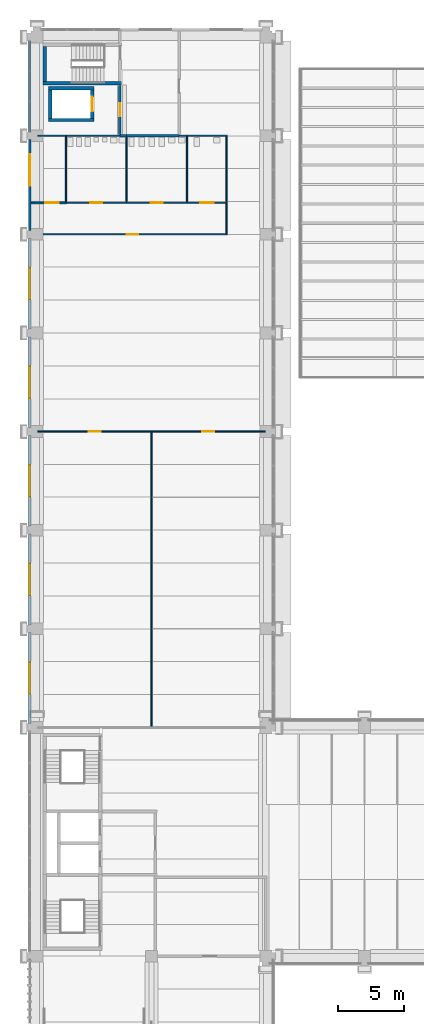
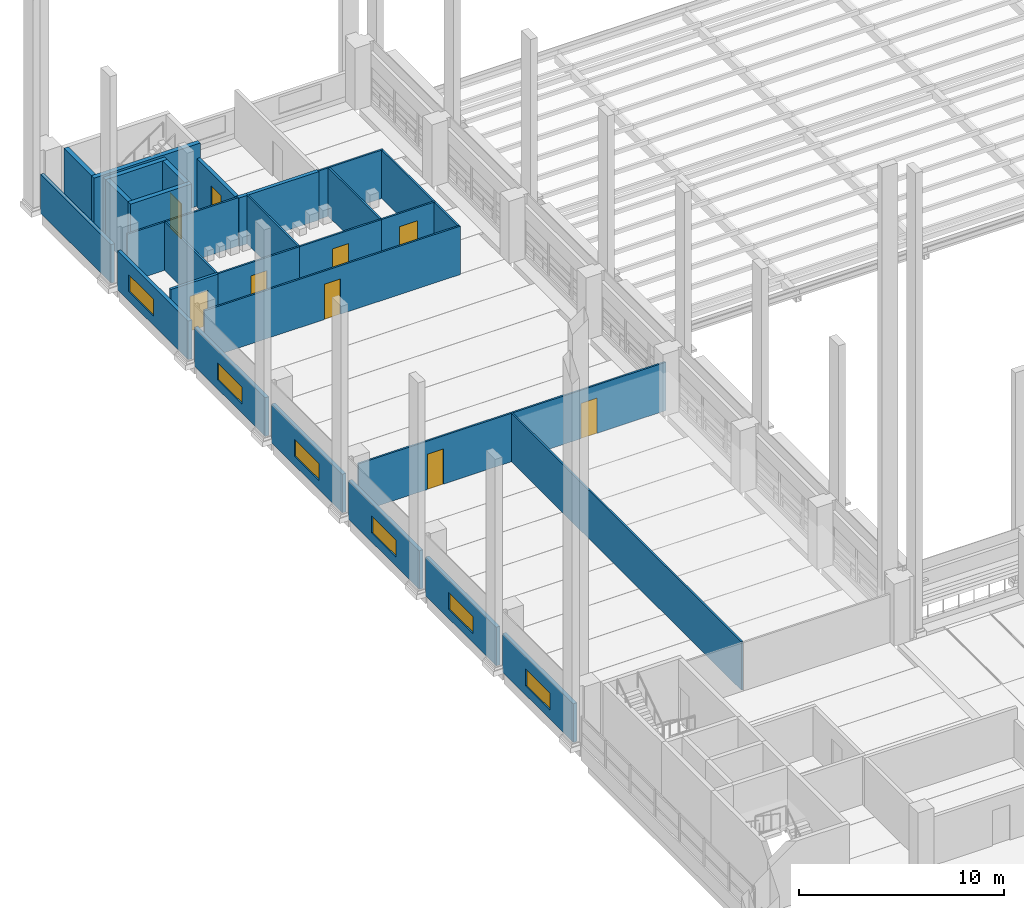
# One storey, part 37 of 67: 33 walls, 9 doors, 6 windows, 15 openings.
"""IFC4 building model written with IfcOpenShell, lengths in metres."""

from ifc_helpers import new_model, si_unit, direction, frame, frame_2d, origin, place, context, subcontext, project, spatial, rectangle, extrude, material, layer, layer_set, type_object, element, fill, save


model = new_model("IFC4")

# Units and contexts
model_context = context("Model", 3, precision=1e-05, world=origin(), true_north=direction((0.0, 1.0)))
body_context = subcontext(model_context, "Body", "Model", "MODEL_VIEW")
ifc_project = project(units=[si_unit("LENGTHUNIT", "METRE"), si_unit("AREAUNIT", "SQUARE_METRE"), si_unit("VOLUMEUNIT", "CUBIC_METRE"), si_unit("PLANEANGLEUNIT", "RADIAN"), si_unit("MASSUNIT", "GRAM", prefix="KILO")], contexts=[model_context])

# Site, building, storey
site_placement = place(None, origin())
site = spatial("IfcSite", under=ifc_project, at=site_placement, CompositionType="ELEMENT")
building_placement = place(site_placement, origin())
building = spatial("IfcBuilding", under=site, at=building_placement, Name="Cour d'Honneur Mobility Palace", CompositionType="ELEMENT")
storey_placement = place(building_placement, frame((0.0, 0.0, 4.5)))
storey = spatial("IfcBuildingStorey", under=building, at=storey_placement, Name="L01", CompositionType="ELEMENT", Elevation=4.5)

# Walls
ifc_material_1 = material(Name="Concrete C50", Category="concrete")
ifc_layer_1 = layer(ifc_material_1, 0.25)
ifc_layer_set_1 = layer_set([ifc_layer_1], Name="Concrete C50")
wall_type_1 = type_object("IfcWallType", Name="Lift shaft wall 250", PredefinedType="SHEAR", material=ifc_layer_set_1)
for number, where, z_axis, x_axis, name in (
    (1, (0.875, 108.60009765625, 0.0), (0.0, 0.0, 1.0), (1.0, 0.0, 0.0), "Lift shaft wall WL-NW1 L01"),
    (2, (0.875, 111.0, 0.0), (0.0, 0.0, 1.0), (1.0, 0.0, 0.0), "Lift shaft wall WL-NW2 L01"),
):
    element("IfcWall", number, at=place(storey_placement, frame(where, z_axis=z_axis, x_axis=x_axis)), inside=storey, type_object=wall_type_1, Name=name, PredefinedType="SHEAR", context=body_context, shape_type="SweptSolid", body=[
        extrude(rectangle(XDim=3.449951171875, YDim=0.25, at=frame_2d((1.72509765625, 0.0))), origin(), (0.0, 0.0, 1.0), 3.699951171875),
    ])
wall_1_placement = place(storey_placement, frame((1.0, 108.72509765625, 0.0), z_axis=(0.0, 0.0, 1.0), x_axis=(0.0, 1.0, 0.0)))
element("IfcWall", 3, at=wall_1_placement, inside=storey, type_object=wall_type_1, Name="Lift shaft wall WL-NW6 L01", PredefinedType="SHEAR", context=body_context, shape_type="SweptSolid", body=[
    extrude(rectangle(XDim=2.14990234375, YDim=0.25, at=frame_2d((1.074951171875, 0.0))), origin(), (0.0, 0.0, 1.0), 3.699951171875),
])

# Wall, opening, door
wall_2_placement = place(storey_placement, frame((4.199951171875, 108.72509765625, 0.0), z_axis=(0.0, 0.0, 1.0), x_axis=(0.0, 1.0, 0.0)))
wall_2 = element("IfcWall", 4, at=wall_2_placement, inside=storey, type_object=wall_type_1, Name="Lift shaft wall WL-NW7 L01", PredefinedType="SHEAR", context=body_context, shape_type="SweptSolid", body=[
    extrude(rectangle(XDim=2.14990234375, YDim=0.25, at=frame_2d((1.074951171875, 0.0))), origin(), (0.0, 0.0, 1.0), 3.699951171875),
])
opening_1_placement = place(wall_2_placement, frame((0.52490234375, 0.0, 0.0)))
opening_1 = element("IfcOpeningElement", 5, at=opening_1_placement, cuts=wall_2, Name="Opening LD54", PredefinedType="OPENING", context=body_context, shape_type="SweptSolid", body=[
    extrude(rectangle(XDim=1.10009765625, YDim=2.10009765625, at=frame_2d((0.550048828125, 1.050048828125))), frame((0.0, 0.135009765625, 0.0), z_axis=(0.0, -1.0, 0.0), x_axis=(1.0, 0.0, 0.0)), (0.0, 0.0, 1.0), 0.27001953125),
])
ifc_material_2 = material(Name="Stainless steel", Category="steel")
door_type_1 = type_object("IfcDoorType", Name="Landing door 1100 x 2100", OperationType="SLIDING_TO_LEFT", PredefinedType="DOOR", material=ifc_material_2)
door_1_placement = place(opening_1_placement, origin())
door_1 = element("IfcDoor", 6, at=door_1_placement, inside=storey, type_object=door_type_1, Name="Landing door LF-NW1 L01", OperationType="SLIDING_TO_LEFT", OverallHeight=2.10009765625, OverallWidth=1.10009765625, PredefinedType="DOOR", context=body_context, shape_type="SweptSolid", body=[
    extrude(rectangle(XDim=1.10009765625, YDim=2.10009765625, at=frame_2d((0.550048828125, 1.050048828125))), frame((0.0, 0.02490234375, 0.0), z_axis=(0.0, -1.0, 0.0), x_axis=(1.0, 0.0, 0.0)), (0.0, 0.0, 1.0), 0.050048828125),
])
fill(opening_1, door_1)

ifc_material_3 = material(Name="Concrete C50", Category="concrete")
ifc_layer_2 = layer(ifc_material_3, 0.199951171875)
ifc_layer_set_2 = layer_set([ifc_layer_2], Name="Concrete C50")
wall_type_2 = type_object("IfcWallType", Name="Load-bearing lobby wall 200 rated EI 120", PredefinedType="PARTITIONING", material=ifc_layer_set_2)
wall_3_placement = place(storey_placement, frame((6.300048828125, 111.22509765625, 0.0), z_axis=(0.0, 0.0, 1.0), x_axis=(0.0, -1.0, 0.0)))
wall_3 = element("IfcWall", 7, at=wall_3_placement, inside=storey, type_object=wall_type_2, Name="Partition 085", PredefinedType="PARTITIONING", context=body_context, shape_type="SweptSolid", body=[
    extrude(rectangle(XDim=3.72509765625, YDim=0.199951171875, at=frame_2d((1.862548828125, 0.0))), origin(), (0.0, 0.0, 1.0), 2.8798828125),
])
opening_2_placement = place(wall_3_placement, frame((1.362548828125, 0.0, 0.0)))
opening_2 = element("IfcOpeningElement", 8, at=opening_2_placement, cuts=wall_3, Name="Opening D0129", PredefinedType="OPENING", context=body_context, shape_type="SweptSolid", body=[
    extrude(rectangle(XDim=1.0, YDim=2.10009765625, at=frame_2d((0.5, 1.050048828125))), frame((0.0, 0.10986328125, 0.0), z_axis=(0.0, -1.0, 0.0), x_axis=(1.0, 0.0, 0.0)), (0.0, 0.0, 1.0), 0.219970703125),
])
ifc_material_4 = material(Name="Galvanised steel", Category="steel")
door_type_2 = type_object("IfcDoorType", Name="Fire door FD120 1000 x 2100", OperationType="SINGLE_SWING_LEFT", PredefinedType="DOOR", material=ifc_material_4)
door_2_placement = place(opening_2_placement, origin())
door_2 = element("IfcDoor", 9, at=door_2_placement, inside=storey, type_object=door_type_2, Name="Door Lift Lobby", OperationType="SINGLE_SWING_RIGHT", OverallHeight=2.10009765625, OverallWidth=1.0, PredefinedType="DOOR", context=body_context, shape_type="SweptSolid", body=[
    extrude(rectangle(XDim=1.0, YDim=2.10009765625, at=frame_2d((0.5, 1.050048828125))), frame((0.0, 0.02490234375, 0.0), z_axis=(0.0, -1.0, 0.0), x_axis=(1.0, 0.0, 0.0)), (0.0, 0.0, 1.0), 0.050048828125),
])
fill(opening_2, door_2)

# Wall
ifc_material_5 = material(Name="Gypsum plasterboard")
ifc_layer_3 = layer(ifc_material_5, 0.10009765625)
ifc_layer_set_3 = layer_set([ifc_layer_3], Name="Gypsum plasterboard")
wall_type_3 = type_object("IfcWallType", Name="Partition 100", PredefinedType="PARTITIONING", material=ifc_layer_set_3)
wall_4_placement = place(storey_placement, frame((8.699951171875, 62.449951171875, 0.0), z_axis=(0.0, 0.0, 1.0), x_axis=(0.0, 1.0, 0.0)))
element("IfcWall", 10, at=wall_4_placement, inside=storey, type_object=wall_type_3, Name="Partition 042", PredefinedType="PARTITIONING", context=body_context, shape_type="SweptSolid", body=[
    extrude(rectangle(XDim=22.400146484375, YDim=0.10009765625, at=frame_2d((11.2001953125, 0.0))), origin(), (0.0, 0.0, 1.0), 2.8798828125),
])

# Wall, opening, door
wall_5_placement = place(storey_placement, frame((8.699951171875, 84.89990234375, 0.0), z_axis=(0.0, 0.0, 1.0), x_axis=(-1.0, 0.0, 0.0)))
wall_5 = element("IfcWall", 11, at=wall_5_placement, inside=storey, type_object=wall_type_3, Name="Partition 046", PredefinedType="PARTITIONING", context=body_context, shape_type="SweptSolid", body=[
    extrude(rectangle(XDim=8.639892578125, YDim=0.10009765625, at=frame_2d((4.31982421875, 0.0))), origin(), (0.0, 0.0, 1.0), 2.8798828125),
])
opening_3_placement = place(wall_5_placement, frame((3.8701171875, 0.0, 0.0)))
opening_3 = element("IfcOpeningElement", 12, at=opening_3_placement, cuts=wall_5, Name="Opening D0113", PredefinedType="OPENING", context=body_context, shape_type="SweptSolid", body=[
    extrude(rectangle(XDim=0.89990234375, YDim=2.10009765625, at=frame_2d((0.449951171875, 1.050048828125))), frame((0.0, 0.06005859375, 0.0), z_axis=(0.0, -1.0, 0.0), x_axis=(1.0, 0.0, 0.0)), (0.0, 0.0, 1.0), 0.1201171875),
])
ifc_material_6 = material(Name="Solid timber", Category="wood")
door_type_3 = type_object("IfcDoorType", Name="Single door 900 x 2100", OperationType="SINGLE_SWING_LEFT", PredefinedType="DOOR", material=ifc_material_6)
door_3_placement = place(opening_3_placement, origin())
door_3 = element("IfcDoor", 13, at=door_3_placement, inside=storey, type_object=door_type_3, Name="Door Locker Room", OperationType="SINGLE_SWING_RIGHT", OverallHeight=2.10009765625, OverallWidth=0.89990234375, PredefinedType="DOOR", context=body_context, shape_type="SweptSolid", body=[
    extrude(rectangle(XDim=0.89990234375, YDim=2.10009765625, at=frame_2d((0.449951171875, 1.050048828125))), frame((0.0, 0.02490234375, 0.0), z_axis=(0.0, -1.0, 0.0), x_axis=(1.0, 0.0, 0.0)), (0.0, 0.0, 1.0), 0.050048828125),
])
fill(opening_3, door_3)

wall_6_placement = place(storey_placement, frame((17.340087890625, 84.89990234375, 0.0), z_axis=(0.0, 0.0, 1.0), x_axis=(-1.0, 0.0, 0.0)))
wall_6 = element("IfcWall", 14, at=wall_6_placement, inside=storey, type_object=wall_type_3, Name="Partition 047", PredefinedType="PARTITIONING", context=body_context, shape_type="SweptSolid", body=[
    extrude(rectangle(XDim=8.64013671875, YDim=0.10009765625, at=frame_2d((4.320068359375, 0.0))), origin(), (0.0, 0.0, 1.0), 2.8798828125),
])
opening_4_placement = place(wall_6_placement, frame((3.8701171875, 0.0, 0.0)))
opening_4 = element("IfcOpeningElement", 15, at=opening_4_placement, cuts=wall_6, Name="Opening D0114", PredefinedType="OPENING", context=body_context, shape_type="SweptSolid", body=[
    extrude(rectangle(XDim=0.89990234375, YDim=2.10009765625, at=frame_2d((0.449951171875, 1.050048828125))), frame((0.0, 0.06005859375, 0.0), z_axis=(0.0, -1.0, 0.0), x_axis=(1.0, 0.0, 0.0)), (0.0, 0.0, 1.0), 0.1201171875),
])
door_4_placement = place(opening_4_placement, origin())
door_4 = element("IfcDoor", 16, at=door_4_placement, inside=storey, type_object=door_type_3, Name="Door Community Room", OperationType="SINGLE_SWING_LEFT", OverallHeight=2.10009765625, OverallWidth=0.89990234375, PredefinedType="DOOR", context=body_context, shape_type="SweptSolid", body=[
    extrude(rectangle(XDim=0.89990234375, YDim=2.10009765625, at=frame_2d((0.449951171875, 1.050048828125))), frame((0.0, 0.02490234375, 0.0), z_axis=(0.0, -1.0, 0.0), x_axis=(1.0, 0.0, 0.0)), (0.0, 0.0, 1.0), 0.050048828125),
])
fill(opening_4, door_4)

wall_7_placement = place(storey_placement, frame((0.06005859375, 99.89990234375, 0.0), z_axis=(0.0, 0.0, 1.0), x_axis=(1.0, 0.0, 0.0)))
wall_7 = element("IfcWall", 17, at=wall_7_placement, inside=storey, type_object=wall_type_3, Name="Partition 050", PredefinedType="PARTITIONING", context=body_context, shape_type="SweptSolid", body=[
    extrude(rectangle(XDim=14.389892578125, YDim=0.10009765625, at=frame_2d((7.19482421875, 0.0))), origin(), (0.0, 0.0, 1.0), 2.8798828125),
])
opening_5_placement = place(wall_7_placement, frame((6.7451171875, 0.0, 0.0)))
opening_5 = element("IfcOpeningElement", 18, at=opening_5_placement, cuts=wall_7, Name="Opening D0115", PredefinedType="OPENING", context=body_context, shape_type="SweptSolid", body=[
    extrude(rectangle(XDim=0.89990234375, YDim=2.10009765625, at=frame_2d((0.449951171875, 1.050048828125))), frame((0.0, 0.06005859375, 0.0), z_axis=(0.0, -1.0, 0.0), x_axis=(1.0, 0.0, 0.0)), (0.0, 0.0, 1.0), 0.1201171875),
])
door_5_placement = place(opening_5_placement, origin())
door_5 = element("IfcDoor", 19, at=door_5_placement, inside=storey, type_object=door_type_3, Name="Door WC Corridor West", OperationType="SINGLE_SWING_RIGHT", OverallHeight=2.10009765625, OverallWidth=0.89990234375, PredefinedType="DOOR", context=body_context, shape_type="SweptSolid", body=[
    extrude(rectangle(XDim=0.89990234375, YDim=2.10009765625, at=frame_2d((0.449951171875, 1.050048828125))), frame((0.0, 0.02490234375, 0.0), z_axis=(0.0, -1.0, 0.0), x_axis=(1.0, 0.0, 0.0)), (0.0, 0.0, 1.0), 0.050048828125),
])
fill(opening_5, door_5)

# Walls
wall_8_placement = place(storey_placement, frame((14.39990234375, 99.949951171875, 0.0), z_axis=(0.0, 0.0, 1.0), x_axis=(0.0, 1.0, 0.0)))
element("IfcWall", 20, at=wall_8_placement, inside=storey, type_object=wall_type_3, Name="Partition 051", PredefinedType="PARTITIONING", context=body_context, shape_type="SweptSolid", body=[
    extrude(rectangle(XDim=2.300048828125, YDim=0.10009765625, at=frame_2d((1.14990234375, 0.0))), origin(), (0.0, 0.0, 1.0), 2.8798828125),
])
wall_9_placement = place(storey_placement, frame((2.199951171875, 102.375, 0.0), z_axis=(0.0, 0.0, 1.0), x_axis=(0.0, 1.0, 0.0)))
element("IfcWall", 21, at=wall_9_placement, inside=storey, type_object=wall_type_3, Name="Partition 055", PredefinedType="PARTITIONING", context=body_context, shape_type="SweptSolid", body=[
    extrude(rectangle(XDim=4.97509765625, YDim=0.10009765625, at=frame_2d((2.487548828125, 0.0))), origin(), (0.0, 0.0, 1.0), 2.8798828125),
])

# Wall, opening, door
wall_10_placement = place(storey_placement, frame((6.800048828125, 102.300048828125, 0.0), z_axis=(0.0, 0.0, 1.0), x_axis=(-1.0, 0.0, 0.0)))
wall_10 = element("IfcWall", 22, at=wall_10_placement, inside=storey, type_object=wall_type_3, Name="Partition 056", PredefinedType="PARTITIONING", context=body_context, shape_type="SweptSolid", body=[
    extrude(rectangle(XDim=4.60009765625, YDim=0.10009765625, at=frame_2d((2.300048828125, 0.0))), origin(), (0.0, 0.0, 1.0), 2.8798828125),
])
opening_6_placement = place(wall_10_placement, frame((1.85009765625, 0.0, 0.0)))
opening_6 = element("IfcOpeningElement", 23, at=opening_6_placement, cuts=wall_10, Name="Opening D0117", PredefinedType="OPENING", context=body_context, shape_type="SweptSolid", body=[
    extrude(rectangle(XDim=0.89990234375, YDim=2.10009765625, at=frame_2d((0.449951171875, 1.050048828125))), frame((0.0, 0.06005859375, 0.0), z_axis=(0.0, -1.0, 0.0), x_axis=(1.0, 0.0, 0.0)), (0.0, 0.0, 1.0), 0.1201171875),
])
door_6_placement = place(opening_6_placement, origin())
door_6 = element("IfcDoor", 24, at=door_6_placement, inside=storey, type_object=door_type_3, Name="Door WC Men West", OperationType="SINGLE_SWING_LEFT", OverallHeight=2.10009765625, OverallWidth=0.89990234375, PredefinedType="DOOR", context=body_context, shape_type="SweptSolid", body=[
    extrude(rectangle(XDim=0.89990234375, YDim=2.10009765625, at=frame_2d((0.449951171875, 1.050048828125))), frame((0.0, 0.02490234375, 0.0), z_axis=(0.0, -1.0, 0.0), x_axis=(1.0, 0.0, 0.0)), (0.0, 0.0, 1.0), 0.050048828125),
])
fill(opening_6, door_6)

# Wall
wall_11_placement = place(storey_placement, frame((6.800048828125, 102.35009765625, 0.0), z_axis=(0.0, 0.0, 1.0), x_axis=(0.0, 1.0, 0.0)))
element("IfcWall", 25, at=wall_11_placement, inside=storey, type_object=wall_type_3, Name="Partition 057", PredefinedType="PARTITIONING", context=body_context, shape_type="SweptSolid", body=[
    extrude(rectangle(XDim=4.949951171875, YDim=0.10009765625, at=frame_2d((2.47509765625, 0.0))), origin(), (0.0, 0.0, 1.0), 2.8798828125),
])

# Wall, opening, door
wall_12_placement = place(storey_placement, frame((11.39990234375, 102.300048828125, 0.0), z_axis=(0.0, 0.0, 1.0), x_axis=(-1.0, 0.0, 0.0)))
wall_12 = element("IfcWall", 26, at=wall_12_placement, inside=storey, type_object=wall_type_3, Name="Partition 058", PredefinedType="PARTITIONING", context=body_context, shape_type="SweptSolid", body=[
    extrude(rectangle(XDim=4.599853515625, YDim=0.10009765625, at=frame_2d((2.2998046875, 0.0))), origin(), (0.0, 0.0, 1.0), 2.8798828125),
])
opening_7_placement = place(wall_12_placement, frame((1.85009765625, 0.0, 0.0)))
opening_7 = element("IfcOpeningElement", 27, at=opening_7_placement, cuts=wall_12, Name="Opening D0118", PredefinedType="OPENING", context=body_context, shape_type="SweptSolid", body=[
    extrude(rectangle(XDim=0.89990234375, YDim=2.10009765625, at=frame_2d((0.449951171875, 1.050048828125))), frame((0.0, 0.06005859375, 0.0), z_axis=(0.0, -1.0, 0.0), x_axis=(1.0, 0.0, 0.0)), (0.0, 0.0, 1.0), 0.1201171875),
])
door_7_placement = place(opening_7_placement, origin())
door_7 = element("IfcDoor", 28, at=door_7_placement, inside=storey, type_object=door_type_3, Name="Door WC Women West", OperationType="SINGLE_SWING_LEFT", OverallHeight=2.10009765625, OverallWidth=0.89990234375, PredefinedType="DOOR", context=body_context, shape_type="SweptSolid", body=[
    extrude(rectangle(XDim=0.89990234375, YDim=2.10009765625, at=frame_2d((0.449951171875, 1.050048828125))), frame((0.0, 0.02490234375, 0.0), z_axis=(0.0, -1.0, 0.0), x_axis=(1.0, 0.0, 0.0)), (0.0, 0.0, 1.0), 0.050048828125),
])
fill(opening_7, door_7)

# Wall
wall_13_placement = place(storey_placement, frame((11.39990234375, 102.35009765625, 0.0), z_axis=(0.0, 0.0, 1.0), x_axis=(0.0, 1.0, 0.0)))
element("IfcWall", 29, at=wall_13_placement, inside=storey, type_object=wall_type_3, Name="Partition 059", PredefinedType="PARTITIONING", context=body_context, shape_type="SweptSolid", body=[
    extrude(rectangle(XDim=5.0, YDim=0.10009765625, at=frame_2d((2.5, 0.0))), origin(), (0.0, 0.0, 1.0), 2.8798828125),
])

# Wall, opening, door
wall_14_placement = place(storey_placement, frame((14.449951171875, 102.300048828125, 0.0), z_axis=(0.0, 0.0, 1.0), x_axis=(-1.0, 0.0, 0.0)))
wall_14 = element("IfcWall", 30, at=wall_14_placement, inside=storey, type_object=wall_type_3, Name="Partition 060", PredefinedType="PARTITIONING", context=body_context, shape_type="SweptSolid", body=[
    extrude(rectangle(XDim=3.050048828125, YDim=0.10009765625, at=frame_2d((1.52490234375, 0.0))), origin(), (0.0, 0.0, 1.0), 2.8798828125),
])
opening_8_placement = place(wall_14_placement, frame((1.02490234375, 0.0, 0.0)))
opening_8 = element("IfcOpeningElement", 31, at=opening_8_placement, cuts=wall_14, Name="Opening D0119", PredefinedType="OPENING", context=body_context, shape_type="SweptSolid", body=[
    extrude(rectangle(XDim=1.0, YDim=2.10009765625, at=frame_2d((0.5, 1.050048828125))), frame((0.0, 0.06005859375, 0.0), z_axis=(0.0, -1.0, 0.0), x_axis=(1.0, 0.0, 0.0)), (0.0, 0.0, 1.0), 0.1201171875),
])
ifc_material_7 = material(Name="Solid timber", Category="wood")
door_type_4 = type_object("IfcDoorType", Name="Accessible door 1000 x 2100", OperationType="SINGLE_SWING_LEFT", PredefinedType="DOOR", material=ifc_material_7)
door_8_placement = place(opening_8_placement, origin())
door_8 = element("IfcDoor", 32, at=door_8_placement, inside=storey, type_object=door_type_4, Name="Door Accessible WC West", OperationType="SINGLE_SWING_LEFT", OverallHeight=2.10009765625, OverallWidth=1.0, PredefinedType="DOOR", context=body_context, shape_type="SweptSolid", body=[
    extrude(rectangle(XDim=1.0, YDim=2.10009765625, at=frame_2d((0.5, 1.050048828125))), frame((0.0, 0.02490234375, 0.0), z_axis=(0.0, -1.0, 0.0), x_axis=(1.0, 0.0, 0.0)), (0.0, 0.0, 1.0), 0.050048828125),
])
fill(opening_8, door_8)

# Walls
wall_15_placement = place(storey_placement, frame((14.39990234375, 102.35009765625, 0.0), z_axis=(0.0, 0.0, 1.0), x_axis=(0.0, 1.0, 0.0)))
element("IfcWall", 33, at=wall_15_placement, inside=storey, type_object=wall_type_3, Name="Partition 061", PredefinedType="PARTITIONING", context=body_context, shape_type="SweptSolid", body=[
    extrude(rectangle(XDim=5.0, YDim=0.10009765625, at=frame_2d((2.5, 0.0))), origin(), (0.0, 0.0, 1.0), 2.8798828125),
])
wall_16_placement = place(storey_placement, frame((2.199951171875, 107.39990234375, 0.0), z_axis=(0.0, 0.0, 1.0), x_axis=(-1.0, 0.0, 0.0)))
element("IfcWall", 34, at=wall_16_placement, inside=storey, type_object=wall_type_3, Name="Partition 067", PredefinedType="PARTITIONING", context=body_context, shape_type="SweptSolid", body=[
    extrude(rectangle(XDim=2.139892578125, YDim=0.10009765625, at=frame_2d((1.06982421875, 0.0))), origin(), (0.0, 0.0, 1.0), 2.8798828125),
])
wall_17_placement = place(storey_placement, frame((6.300048828125, 107.39990234375, 0.0), z_axis=(0.0, 0.0, 1.0), x_axis=(-1.0, 0.0, 0.0)))
element("IfcWall", 35, at=wall_17_placement, inside=storey, type_object=wall_type_3, Name="Partition 068", PredefinedType="PARTITIONING", context=body_context, shape_type="SweptSolid", body=[
    extrude(rectangle(XDim=4.10009765625, YDim=0.10009765625, at=frame_2d((2.050048828125, 0.0))), origin(), (0.0, 0.0, 1.0), 2.8798828125),
])
wall_18_placement = place(storey_placement, frame((11.39990234375, 107.39990234375, 0.0), z_axis=(0.0, 0.0, 1.0), x_axis=(-1.0, 0.0, 0.0)))
element("IfcWall", 36, at=wall_18_placement, inside=storey, type_object=wall_type_3, Name="Partition 072", PredefinedType="PARTITIONING", context=body_context, shape_type="SweptSolid", body=[
    extrude(rectangle(XDim=0.599853515625, YDim=0.10009765625, at=frame_2d((0.2998046875, 0.0))), origin(), (0.0, 0.0, 1.0), 2.8798828125),
])
wall_19_placement = place(storey_placement, frame((14.449951171875, 107.39990234375, 0.0), z_axis=(0.0, 0.0, 1.0), x_axis=(-1.0, 0.0, 0.0)))
element("IfcWall", 37, at=wall_19_placement, inside=storey, type_object=wall_type_3, Name="Partition 073", PredefinedType="PARTITIONING", context=body_context, shape_type="SweptSolid", body=[
    extrude(rectangle(XDim=3.050048828125, YDim=0.10009765625, at=frame_2d((1.52490234375, 0.0))), origin(), (0.0, 0.0, 1.0), 2.8798828125),
])

# Wall, opening, door
ifc_material_8 = material(Name="Gypsum plasterboard")
ifc_layer_4 = layer(ifc_material_8, 0.14990234375)
ifc_layer_set_4 = layer_set([ifc_layer_4], Name="Gypsum plasterboard")
wall_type_4 = type_object("IfcWallType", Name="Partition 150 rated EI 60", PredefinedType="PARTITIONING", material=ifc_layer_set_4)
wall_20_placement = place(storey_placement, frame((2.199951171875, 102.300048828125, 0.0), z_axis=(0.0, 0.0, 1.0), x_axis=(-1.0, 0.0, 0.0)))
wall_20 = element("IfcWall", 38, at=wall_20_placement, inside=storey, type_object=wall_type_4, Name="Partition 054", PredefinedType="PARTITIONING", context=body_context, shape_type="SweptSolid", body=[
    extrude(rectangle(XDim=2.64990234375, YDim=0.14990234375, at=frame_2d((1.324951171875, 0.0))), origin(), (0.0, 0.0, 1.0), 2.8798828125),
])
opening_9_placement = place(wall_20_placement, frame((0.570068359375, 0.0, 0.0)))
opening_9 = element("IfcOpeningElement", 39, at=opening_9_placement, cuts=wall_20, Name="Opening D0116", PredefinedType="OPENING", context=body_context, shape_type="SweptSolid", body=[
    extrude(rectangle(XDim=1.0, YDim=2.10009765625, at=frame_2d((0.5, 1.050048828125))), frame((0.0, 0.0849609375, 0.0), z_axis=(0.0, -1.0, 0.0), x_axis=(1.0, 0.0, 0.0)), (0.0, 0.0, 1.0), 0.169921875),
])
ifc_material_9 = material(Name="Galvanised steel", Category="steel")
door_type_5 = type_object("IfcDoorType", Name="Fire door FD60 1000 x 2100", OperationType="SINGLE_SWING_LEFT", PredefinedType="DOOR", material=ifc_material_9)
door_9_placement = place(opening_9_placement, origin())
door_9 = element("IfcDoor", 40, at=door_9_placement, inside=storey, type_object=door_type_5, Name="Door Cleaner's Store West", OperationType="SINGLE_SWING_LEFT", OverallHeight=2.10009765625, OverallWidth=1.0, PredefinedType="DOOR", context=body_context, shape_type="SweptSolid", body=[
    extrude(rectangle(XDim=1.0, YDim=2.10009765625, at=frame_2d((0.5, 1.050048828125))), frame((0.0, 0.02490234375, 0.0), z_axis=(0.0, -1.0, 0.0), x_axis=(1.0, 0.0, 0.0)), (0.0, 0.0, 1.0), 0.050048828125),
])
fill(opening_9, door_9)

# Walls
ifc_material_10 = material(Name="Gypsum plasterboard")
ifc_layer_5 = layer(ifc_material_10, 0.199951171875)
ifc_layer_set_5 = layer_set([ifc_layer_5], Name="Gypsum plasterboard")
wall_type_5 = type_object("IfcWallType", Name="Partition 200 rated EI 120", PredefinedType="PARTITIONING", material=ifc_layer_set_5)
wall_21_placement = place(storey_placement, frame((6.300048828125, 107.39990234375, 0.0), z_axis=(0.0, 0.0, 1.0), x_axis=(1.0, 0.0, 0.0)))
element("IfcWall", 41, at=wall_21_placement, inside=storey, type_object=wall_type_5, Name="Partition 069", PredefinedType="PARTITIONING", context=body_context, shape_type="SweptSolid", body=[
    extrude(rectangle(XDim=0.5, YDim=0.199951171875, at=frame_2d((0.25, 0.0))), origin(), (0.0, 0.0, 1.0), 2.8798828125),
])
wall_22_placement = place(storey_placement, frame((6.800048828125, 107.39990234375, 0.0), z_axis=(0.0, 0.0, 1.0), x_axis=(1.0, 0.0, 0.0)))
element("IfcWall", 42, at=wall_22_placement, inside=storey, type_object=wall_type_5, Name="Partition 070", PredefinedType="PARTITIONING", context=body_context, shape_type="SweptSolid", body=[
    extrude(rectangle(XDim=4.0, YDim=0.199951171875, at=frame_2d((2.0, 0.0))), origin(), (0.0, 0.0, 1.0), 2.8798828125),
])
ifc_material_11 = material(Name="Concrete C40", Category="concrete")
ifc_layer_6 = layer(ifc_material_11, 0.199951171875)
ifc_layer_set_6 = layer_set([ifc_layer_6], Name="Concrete C40")
wall_type_6 = type_object("IfcWallType", Name="Spandrel panel", PredefinedType="SOLIDWALL", material=ifc_layer_set_6)
wall_23_placement = place(storey_placement, frame((-0.550048828125, 114.60009765625, 0.0), z_axis=(0.0, 0.0, 1.0), x_axis=(0.0, -1.0, 0.0)))
element("IfcWall", 43, at=wall_23_placement, inside=storey, type_object=wall_type_6, Name="Spandrel panel SW-2", PredefinedType="SOLIDWALL", context=body_context, shape_type="SweptSolid", body=[
    extrude(rectangle(XDim=6.900146484375, YDim=0.199951171875, at=frame_2d((3.4501953125, 0.0))), origin(), (0.0, 0.0, 1.0), 2.300048828125),
])

# Wall, opening, window
wall_24_placement = place(storey_placement, frame((-0.550048828125, 107.10009765625, 0.0), z_axis=(0.0, 0.0, 1.0), x_axis=(0.0, -1.0, 0.0)))
wall_24 = element("IfcWall", 44, at=wall_24_placement, inside=storey, type_object=wall_type_6, Name="Spandrel panel SW-3", PredefinedType="SOLIDWALL", context=body_context, shape_type="SweptSolid", body=[
    extrude(rectangle(XDim=6.900146484375, YDim=0.199951171875, at=frame_2d((3.4501953125, 0.0))), origin(), (0.0, 0.0, 1.0), 2.300048828125),
])
opening_10_placement = place(wall_24_placement, frame((1.10009765625, 0.0, 0.550048828125)))
opening_10 = element("IfcOpeningElement", 45, at=opening_10_placement, cuts=wall_24, Name="Opening W2-3", PredefinedType="OPENING", context=body_context, shape_type="SweptSolid", body=[
    extrude(rectangle(XDim=2.39990234375, YDim=1.0, at=frame_2d((1.199951171875, 0.5))), frame((0.0, 0.10986328125, 0.0), z_axis=(0.0, -1.0, 0.0), x_axis=(1.0, 0.0, 0.0)), (0.0, 0.0, 1.0), 0.219970703125),
])
ifc_material_12 = material(Name="Aluminium frame and glass", Category="aluminium")
window_type = type_object("IfcWindowType", Name="Gallery window W2", PartitioningType="TRIPLE_PANEL_VERTICAL", PredefinedType="WINDOW", material=ifc_material_12)
window_1_placement = place(opening_10_placement, origin())
window_1 = element("IfcWindow", 46, at=window_1_placement, inside=storey, type_object=window_type, Name="Gallery window W2 W2-3", OverallHeight=1.0, OverallWidth=2.39990234375, PartitioningType="SINGLE_PANEL", PredefinedType="WINDOW", context=body_context, shape_type="SweptSolid", body=[
    extrude(rectangle(XDim=2.39990234375, YDim=1.0, at=frame_2d((1.199951171875, 0.5))), frame((0.0, 0.030029296875, 0.0), z_axis=(0.0, -1.0, 0.0), x_axis=(1.0, 0.0, 0.0)), (0.0, 0.0, 1.0), 0.06005859375),
])
fill(opening_10, window_1)

wall_25_placement = place(storey_placement, frame((-0.550048828125, 99.60009765625, 0.0), z_axis=(0.0, 0.0, 1.0), x_axis=(0.0, -1.0, 0.0)))
wall_25 = element("IfcWall", 47, at=wall_25_placement, inside=storey, type_object=wall_type_6, Name="Spandrel panel SW-4", PredefinedType="SOLIDWALL", context=body_context, shape_type="SweptSolid", body=[
    extrude(rectangle(XDim=6.900146484375, YDim=0.199951171875, at=frame_2d((3.4501953125, 0.0))), origin(), (0.0, 0.0, 1.0), 2.300048828125),
])
opening_11_placement = place(wall_25_placement, frame((2.25, 0.0, 0.550048828125)))
opening_11 = element("IfcOpeningElement", 48, at=opening_11_placement, cuts=wall_25, Name="Opening W2-4", PredefinedType="OPENING", context=body_context, shape_type="SweptSolid", body=[
    extrude(rectangle(XDim=2.39990234375, YDim=1.0, at=frame_2d((1.199951171875, 0.5))), frame((0.0, 0.10986328125, 0.0), z_axis=(0.0, -1.0, 0.0), x_axis=(1.0, 0.0, 0.0)), (0.0, 0.0, 1.0), 0.219970703125),
])
window_2_placement = place(opening_11_placement, origin())
window_2 = element("IfcWindow", 49, at=window_2_placement, inside=storey, type_object=window_type, Name="Gallery window W2 W2-4", OverallHeight=1.0, OverallWidth=2.39990234375, PartitioningType="SINGLE_PANEL", PredefinedType="WINDOW", context=body_context, shape_type="SweptSolid", body=[
    extrude(rectangle(XDim=2.39990234375, YDim=1.0, at=frame_2d((1.199951171875, 0.5))), frame((0.0, 0.030029296875, 0.0), z_axis=(0.0, -1.0, 0.0), x_axis=(1.0, 0.0, 0.0)), (0.0, 0.0, 1.0), 0.06005859375),
])
fill(opening_11, window_2)

wall_26_placement = place(storey_placement, frame((-0.550048828125, 92.10009765625, 0.0), z_axis=(0.0, 0.0, 1.0), x_axis=(0.0, -1.0, 0.0)))
wall_26 = element("IfcWall", 50, at=wall_26_placement, inside=storey, type_object=wall_type_6, Name="Spandrel panel SW-5", PredefinedType="SOLIDWALL", context=body_context, shape_type="SweptSolid", body=[
    extrude(rectangle(XDim=6.900146484375, YDim=0.199951171875, at=frame_2d((3.4501953125, 0.0))), origin(), (0.0, 0.0, 1.0), 2.300048828125),
])
opening_12_placement = place(wall_26_placement, frame((2.25, 0.0, 0.550048828125)))
opening_12 = element("IfcOpeningElement", 51, at=opening_12_placement, cuts=wall_26, Name="Opening W2-5", PredefinedType="OPENING", context=body_context, shape_type="SweptSolid", body=[
    extrude(rectangle(XDim=2.39990234375, YDim=1.0, at=frame_2d((1.199951171875, 0.5))), frame((0.0, 0.10986328125, 0.0), z_axis=(0.0, -1.0, 0.0), x_axis=(1.0, 0.0, 0.0)), (0.0, 0.0, 1.0), 0.219970703125),
])
window_3_placement = place(opening_12_placement, origin())
window_3 = element("IfcWindow", 52, at=window_3_placement, inside=storey, type_object=window_type, Name="Gallery window W2 W2-5", OverallHeight=1.0, OverallWidth=2.39990234375, PartitioningType="SINGLE_PANEL", PredefinedType="WINDOW", context=body_context, shape_type="SweptSolid", body=[
    extrude(rectangle(XDim=2.39990234375, YDim=1.0, at=frame_2d((1.199951171875, 0.5))), frame((0.0, 0.030029296875, 0.0), z_axis=(0.0, -1.0, 0.0), x_axis=(1.0, 0.0, 0.0)), (0.0, 0.0, 1.0), 0.06005859375),
])
fill(opening_12, window_3)

wall_27_placement = place(storey_placement, frame((-0.550048828125, 84.60009765625, 0.0), z_axis=(0.0, 0.0, 1.0), x_axis=(0.0, -1.0, 0.0)))
wall_27 = element("IfcWall", 53, at=wall_27_placement, inside=storey, type_object=wall_type_6, Name="Spandrel panel SW-6", PredefinedType="SOLIDWALL", context=body_context, shape_type="SweptSolid", body=[
    extrude(rectangle(XDim=6.900146484375, YDim=0.199951171875, at=frame_2d((3.4501953125, 0.0))), origin(), (0.0, 0.0, 1.0), 2.300048828125),
])
opening_13_placement = place(wall_27_placement, frame((2.25, 0.0, 0.550048828125)))
opening_13 = element("IfcOpeningElement", 54, at=opening_13_placement, cuts=wall_27, Name="Opening W2-6", PredefinedType="OPENING", context=body_context, shape_type="SweptSolid", body=[
    extrude(rectangle(XDim=2.39990234375, YDim=1.0, at=frame_2d((1.199951171875, 0.5))), frame((0.0, 0.10986328125, 0.0), z_axis=(0.0, -1.0, 0.0), x_axis=(1.0, 0.0, 0.0)), (0.0, 0.0, 1.0), 0.219970703125),
])
window_4_placement = place(opening_13_placement, origin())
window_4 = element("IfcWindow", 55, at=window_4_placement, inside=storey, type_object=window_type, Name="Gallery window W2 W2-6", OverallHeight=1.0, OverallWidth=2.39990234375, PartitioningType="SINGLE_PANEL", PredefinedType="WINDOW", context=body_context, shape_type="SweptSolid", body=[
    extrude(rectangle(XDim=2.39990234375, YDim=1.0, at=frame_2d((1.199951171875, 0.5))), frame((0.0, 0.030029296875, 0.0), z_axis=(0.0, -1.0, 0.0), x_axis=(1.0, 0.0, 0.0)), (0.0, 0.0, 1.0), 0.06005859375),
])
fill(opening_13, window_4)

wall_28_placement = place(storey_placement, frame((-0.550048828125, 77.10009765625, 0.0), z_axis=(0.0, 0.0, 1.0), x_axis=(0.0, -1.0, 0.0)))
wall_28 = element("IfcWall", 56, at=wall_28_placement, inside=storey, type_object=wall_type_6, Name="Spandrel panel SW-7", PredefinedType="SOLIDWALL", context=body_context, shape_type="SweptSolid", body=[
    extrude(rectangle(XDim=6.900146484375, YDim=0.199951171875, at=frame_2d((3.4501953125, 0.0))), origin(), (0.0, 0.0, 1.0), 2.300048828125),
])
opening_14_placement = place(wall_28_placement, frame((2.25, 0.0, 0.550048828125)))
opening_14 = element("IfcOpeningElement", 57, at=opening_14_placement, cuts=wall_28, Name="Opening W2-7", PredefinedType="OPENING", context=body_context, shape_type="SweptSolid", body=[
    extrude(rectangle(XDim=2.39990234375, YDim=1.0, at=frame_2d((1.199951171875, 0.5))), frame((0.0, 0.10986328125, 0.0), z_axis=(0.0, -1.0, 0.0), x_axis=(1.0, 0.0, 0.0)), (0.0, 0.0, 1.0), 0.219970703125),
])
window_5_placement = place(opening_14_placement, origin())
window_5 = element("IfcWindow", 58, at=window_5_placement, inside=storey, type_object=window_type, Name="Gallery window W2 W2-7", OverallHeight=1.0, OverallWidth=2.39990234375, PartitioningType="SINGLE_PANEL", PredefinedType="WINDOW", context=body_context, shape_type="SweptSolid", body=[
    extrude(rectangle(XDim=2.39990234375, YDim=1.0, at=frame_2d((1.199951171875, 0.5))), frame((0.0, 0.030029296875, 0.0), z_axis=(0.0, -1.0, 0.0), x_axis=(1.0, 0.0, 0.0)), (0.0, 0.0, 1.0), 0.06005859375),
])
fill(opening_14, window_5)

wall_29_placement = place(storey_placement, frame((-0.550048828125, 69.60009765625, 0.0), z_axis=(0.0, 0.0, 1.0), x_axis=(0.0, -1.0, 0.0)))
wall_29 = element("IfcWall", 59, at=wall_29_placement, inside=storey, type_object=wall_type_6, Name="Spandrel panel SW-8", PredefinedType="SOLIDWALL", context=body_context, shape_type="SweptSolid", body=[
    extrude(rectangle(XDim=6.900146484375, YDim=0.199951171875, at=frame_2d((3.4501953125, 0.0))), origin(), (0.0, 0.0, 1.0), 2.300048828125),
])
opening_15_placement = place(wall_29_placement, frame((2.25, 0.0, 0.550048828125)))
opening_15 = element("IfcOpeningElement", 60, at=opening_15_placement, cuts=wall_29, Name="Opening W2-8", PredefinedType="OPENING", context=body_context, shape_type="SweptSolid", body=[
    extrude(rectangle(XDim=2.39990234375, YDim=1.0, at=frame_2d((1.199951171875, 0.5))), frame((0.0, 0.10986328125, 0.0), z_axis=(0.0, -1.0, 0.0), x_axis=(1.0, 0.0, 0.0)), (0.0, 0.0, 1.0), 0.219970703125),
])
window_6_placement = place(opening_15_placement, origin())
window_6 = element("IfcWindow", 61, at=window_6_placement, inside=storey, type_object=window_type, Name="Gallery window W2 W2-8", OverallHeight=1.0, OverallWidth=2.39990234375, PartitioningType="SINGLE_PANEL", PredefinedType="WINDOW", context=body_context, shape_type="SweptSolid", body=[
    extrude(rectangle(XDim=2.39990234375, YDim=1.0, at=frame_2d((1.199951171875, 0.5))), frame((0.0, 0.030029296875, 0.0), z_axis=(0.0, -1.0, 0.0), x_axis=(1.0, 0.0, 0.0)), (0.0, 0.0, 1.0), 0.06005859375),
])
fill(opening_15, window_6)

# Walls
ifc_material_13 = material(Name="Concrete C50", Category="concrete")
ifc_layer_7 = layer(ifc_material_13, 0.25)
ifc_layer_set_7 = layer_set([ifc_layer_7], Name="Concrete C50")
wall_type_7 = type_object("IfcWallType", Name="Stair wall 250", PredefinedType="SHEAR", material=ifc_layer_set_7)
wall_30_placement = place(storey_placement, frame((0.449951171875, 111.39990234375, 0.0), z_axis=(0.0, 0.0, 1.0), x_axis=(1.0, 0.0, 0.0)))
element("IfcWall", 62, at=wall_30_placement, inside=storey, type_object=wall_type_7, Name="Stair wall WS-NW3 L01", PredefinedType="SHEAR", context=body_context, shape_type="SweptSolid", body=[
    extrude(rectangle(XDim=5.97509765625, YDim=0.25, at=frame_2d((2.987548828125, 0.0))), origin(), (0.0, 0.0, 1.0), 3.699951171875),
])
wall_31_placement = place(storey_placement, frame((0.574951171875, 111.52490234375, 0.0), z_axis=(0.0, 0.0, 1.0), x_axis=(0.0, 1.0, 0.0)))
element("IfcWall", 63, at=wall_31_placement, inside=storey, type_object=wall_type_7, Name="Stair wall WS-NW5 L01", PredefinedType="SHEAR", context=body_context, shape_type="SweptSolid", body=[
    extrude(rectangle(XDim=2.675048828125, YDim=0.25, at=frame_2d((1.33740234375, 0.0))), origin(), (0.0, 0.0, 1.0), 3.699951171875),
])

save(model, "model.ifc")
